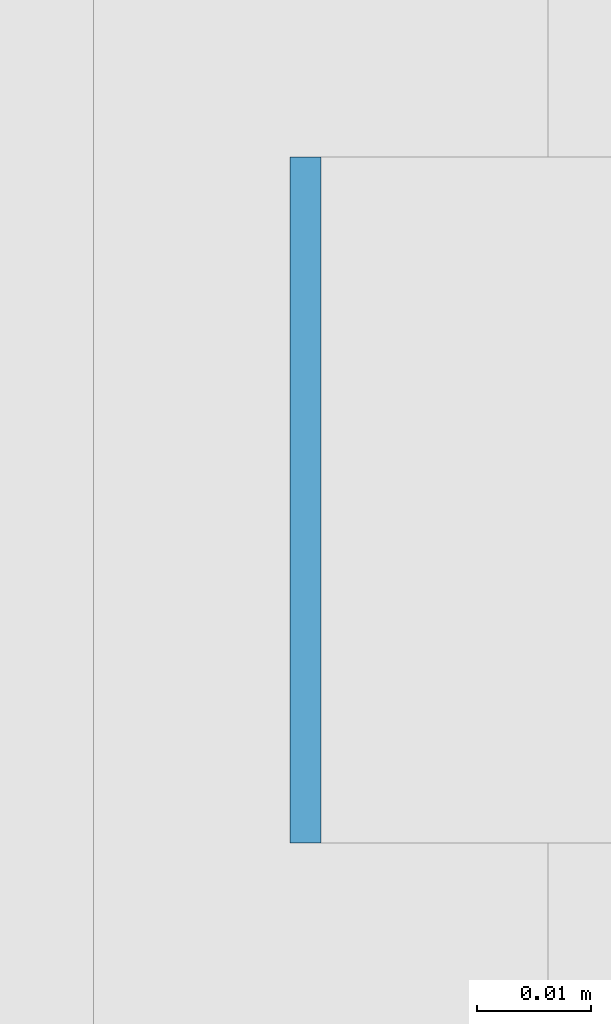
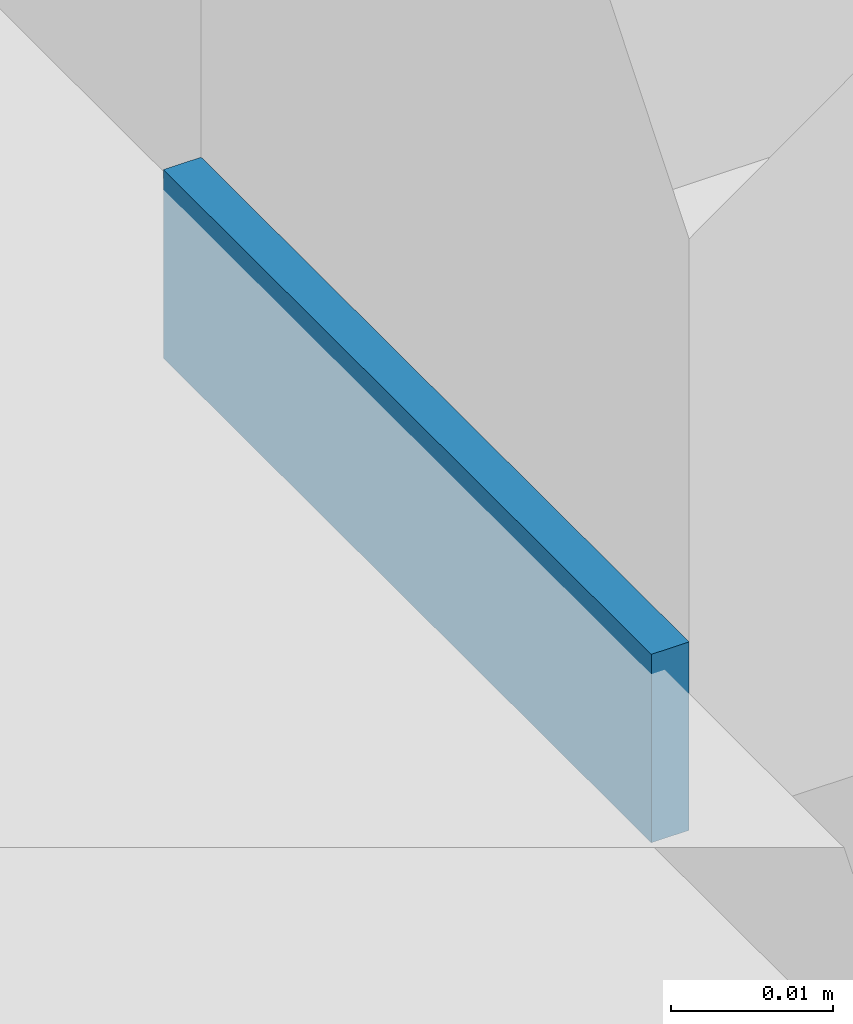
# One storey, part 488 of 646: 1 discrete accessory.
"""IFC4 building model written with IfcOpenShell, lengths in metres."""

from ifc_helpers import new_model, si_unit, direction, frame, origin, origin_2d, place, context, subcontext, project, spatial, rectangle, extrude, material, type_object, element, save


model = new_model("IFC4")

# Units and contexts
model_context = context("Model", 3, precision=1e-05, world=origin(), true_north=direction((0.0, 1.0)))
body_context = subcontext(model_context, "Body", "Model", "MODEL_VIEW")
ifc_project = project(units=[si_unit("LENGTHUNIT", "METRE"), si_unit("AREAUNIT", "SQUARE_METRE"), si_unit("VOLUMEUNIT", "CUBIC_METRE"), si_unit("PLANEANGLEUNIT", "RADIAN"), si_unit("MASSUNIT", "GRAM", prefix="KILO")], contexts=[model_context])

# Site, building, storey
site_placement = place(None, origin())
site = spatial("IfcSite", under=ifc_project, at=site_placement, CompositionType="ELEMENT")
building_placement = place(site_placement, origin())
building = spatial("IfcBuilding", under=site, at=building_placement, Name="Silverbay Arena", CompositionType="ELEMENT")
storey_placement = place(building_placement, frame((0.0, 0.0, 33.5)))
storey = spatial("IfcBuildingStorey", under=building, at=storey_placement, Name="L05", CompositionType="ELEMENT", Elevation=33.5)

# Discrete accessory
ifc_material = material(Name="Steel S355", Category="steel")
discrete_accessory_type = type_object("IfcDiscreteAccessoryType", Name="Steel bracket plate", PredefinedType="BRACKET", material=ifc_material)
discrete_accessory_placement = place(storey_placement, frame((207.128662109375, 60.428466796875, 4.0), z_axis=(0.0, 0.0, 1.0), x_axis=(1.0, 0.0, 0.0)))
element("IfcDiscreteAccessory", 1, at=discrete_accessory_placement, inside=storey, type_object=discrete_accessory_type, Name="Curtain wall packing plate", PredefinedType="BRACKET", context=body_context, shape_type="SweptSolid", body=[
    extrude(rectangle(XDim=0.002685546875, YDim=0.06005859375, at=origin_2d()), origin(), (0.0, 0.0, 1.0), 0.01416015625),
])

save(model, "model.ifc")
